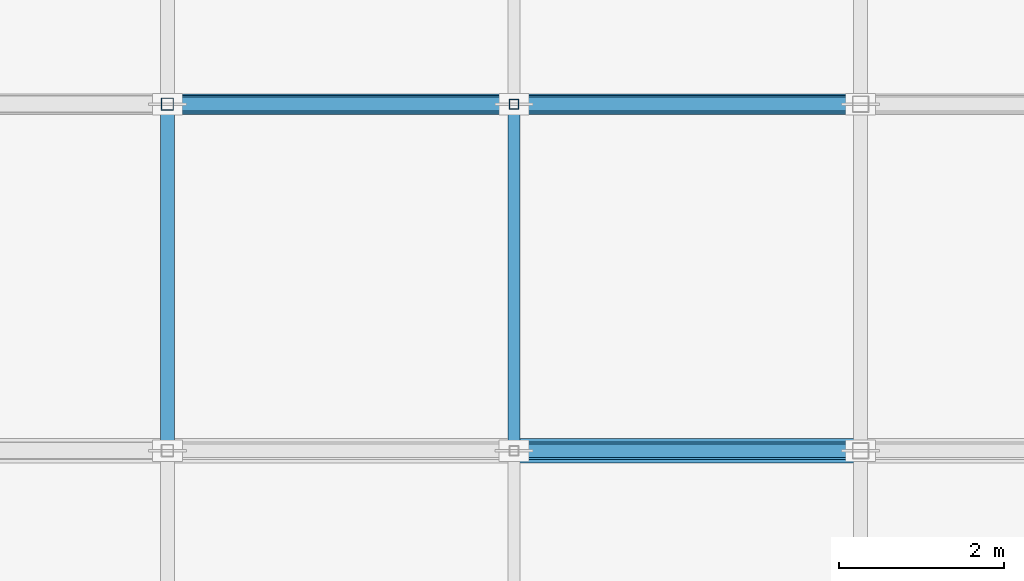
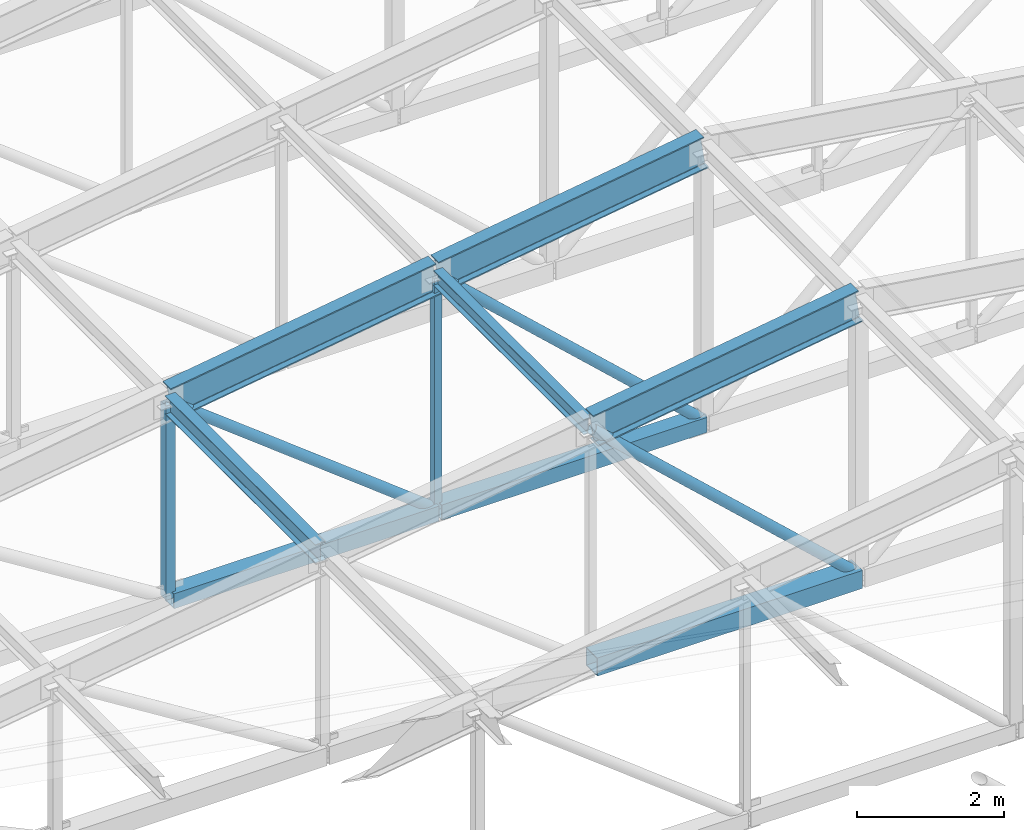
# One storey, part 29 of 122: 13 members.
"""IFC4 building model written with IfcOpenShell, lengths in metres."""

from ifc_helpers import new_model, si_unit, direction, frame, origin, origin_2d, place, context, subcontext, project, spatial, hollow_rectangle, hollow_circle, i_section, extrude, material, material_profile, profile_set, type_object, element, save


model = new_model("IFC4")

# Units and contexts
model_context = context("Model", 3, precision=1e-05, world=origin(), true_north=direction((0.0, 1.0)))
body_context = subcontext(model_context, "Body", "Model", "MODEL_VIEW")
ifc_project = project(units=[si_unit("LENGTHUNIT", "METRE"), si_unit("AREAUNIT", "SQUARE_METRE"), si_unit("VOLUMEUNIT", "CUBIC_METRE"), si_unit("PLANEANGLEUNIT", "RADIAN"), si_unit("MASSUNIT", "GRAM", prefix="KILO")], contexts=[model_context])

# Site, building, storey
site_placement = place(None, origin())
site = spatial("IfcSite", under=ifc_project, at=site_placement, CompositionType="ELEMENT")
building_placement = place(site_placement, origin())
building = spatial("IfcBuilding", under=site, at=building_placement, Name="Telukmera Botanical Conservatory", CompositionType="ELEMENT")
storey_placement = place(building_placement, frame((0.0, 0.0, 10.199951171875)))
storey = spatial("IfcBuildingStorey", under=building, at=storey_placement, Name="L02", CompositionType="ELEMENT", Elevation=10.199951171875)

# Members
ifc_material = material(Name="Steel S355", Category="steel")
ifc_material_profile_1 = material_profile(ifc_material, i_section(OverallWidth=0.210693359375, OverallDepth=0.53955078125, WebThickness=0.01171875, FlangeThickness=0.018798828125, FilletRadius=0.0126953125, at=origin_2d()), Name="UB 533x210x109")
ifc_profile_set_1 = profile_set([ifc_material_profile_1], Name="Steel S355")
member_type_1 = type_object("IfcMemberType", Name="Mem_TC1", PredefinedType="CHORD", material=ifc_profile_set_1)
for number, where, z_axis, x_axis, name in (
    (1, (21.019775390625, 91.60009765625, 3.80615234375), (0.989022603236, 0.0, 0.147764306545), (0.0, 1.0, 0.0), "Auditorium Pratt Truss Top Chord T3-4"),
    (2, (16.81982421875, 95.800048828125, 3.178466796875), (0.989022603236, 0.0, 0.147764306545), (0.0, 1.0, 0.0), "Auditorium Pratt Truss Top Chord T4-3"),
    (3, (21.019775390625, 95.800048828125, 3.80615234375), (0.989022603236, 0.0, 0.147764306545), (0.0, 1.0, 0.0), "Auditorium Pratt Truss Top Chord T4-4"),
):
    element("IfcMember", number, at=place(storey_placement, frame(where, z_axis=z_axis, x_axis=x_axis)), inside=storey, type_object=member_type_1, Name=name, PredefinedType="CHORD", context=body_context, shape_type="SweptSolid", body=[
        extrude(i_section(OverallWidth=0.210693359375, OverallDepth=0.53955078125, WebThickness=0.01171875, FlangeThickness=0.018798828125, FilletRadius=0.0126953125, at=origin_2d()), origin(), (0.0, 0.0, 1.0), 4.20654296875),
    ])
ifc_material_profile_2 = material_profile(ifc_material, hollow_rectangle(XDim=0.25, YDim=0.25, WallThickness=0.012451171875, at=origin_2d()), Name="SHS 250x250x12.5")
ifc_profile_set_2 = profile_set([ifc_material_profile_2], Name="Steel S355")
member_type_2 = type_object("IfcMemberType", Name="Mem_TC2", PredefinedType="CHORD", material=ifc_profile_set_2)
for number, where, z_axis, x_axis, name in (
    (4, (16.820068359375, 95.800048828125, -0.079833984375), (1.0, 0.0, 0.0), (0.0, 1.0, 0.0), "Auditorium Pratt Truss Bottom Chord T4-3"),
    (5, (21.02001953125, 95.800048828125, -0.079833984375), (1.0, 0.0, 0.0), (0.0, 1.0, 0.0), "Auditorium Pratt Truss Bottom Chord T4-4"),
):
    element("IfcMember", number, at=place(storey_placement, frame(where, z_axis=z_axis, x_axis=x_axis)), inside=storey, type_object=member_type_2, Name=name, PredefinedType="CHORD", context=body_context, shape_type="SweptSolid", body=[
        extrude(hollow_rectangle(XDim=0.25, YDim=0.25, WallThickness=0.012451171875, at=origin_2d()), origin(), (0.0, 0.0, 1.0), 4.159912109375),
    ])
ifc_material_profile_3 = material_profile(ifc_material, hollow_rectangle(XDim=0.300048828125, YDim=0.300048828125, WallThickness=0.012451171875, at=origin_2d()), Name="SHS 300x300x12.5")
ifc_profile_set_3 = profile_set([ifc_material_profile_3], Name="Steel S355")
member_type_3 = type_object("IfcMemberType", Name="Mem_TC3", PredefinedType="CHORD", material=ifc_profile_set_3)
member_1_placement = place(storey_placement, frame((21.02001953125, 91.60009765625, -0.079833984375), z_axis=(1.0, 0.0, 0.0), x_axis=(0.0, 1.0, 0.0)))
element("IfcMember", 6, at=member_1_placement, inside=storey, type_object=member_type_3, Name="Auditorium Pratt Truss Bottom Chord T3-4", PredefinedType="CHORD", context=body_context, shape_type="SweptSolid", body=[
    extrude(hollow_rectangle(XDim=0.300048828125, YDim=0.300048828125, WallThickness=0.012451171875, at=origin_2d()), origin(), (0.0, 0.0, 1.0), 4.159912109375),
])
ifc_material_profile_4 = material_profile(ifc_material, hollow_circle(Radius=0.084228515625, WallThickness=0.008056640625, at=origin_2d()), Name="CHS 168.3x8.0")
ifc_profile_set_4 = profile_set([ifc_material_profile_4], Name="Steel S355")
member_type_4 = type_object("IfcMemberType", Name="Mem_TD2", PredefinedType="BRACE", material=ifc_profile_set_4)
member_2_placement = place(storey_placement, frame((21.02197265625, 91.60009765625, 3.78271484375), z_axis=(0.734277342079, 0.0, -0.678849604044), x_axis=(0.0, 1.0, 0.0)))
element("IfcMember", 7, at=member_2_placement, inside=storey, type_object=member_type_4, Name="Auditorium Pratt Truss Web Diagonal T3-D4", PredefinedType="BRACE", context=body_context, shape_type="SweptSolid", body=[
    extrude(hollow_circle(Radius=0.084228515625, WallThickness=0.008056640625, at=origin_2d()), origin(), (0.0, 0.0, 1.0), 5.659912109375),
])
member_3_placement = place(storey_placement, frame((16.82373046875, 95.800048828125, 3.156982421875), z_axis=(0.790391989469, 0.0, -0.61260142261), x_axis=(0.0, 1.0, 0.0)))
element("IfcMember", 8, at=member_3_placement, inside=storey, type_object=member_type_4, Name="Auditorium Pratt Truss Web Diagonal T4-D3", PredefinedType="BRACE", context=body_context, shape_type="SweptSolid", body=[
    extrude(hollow_circle(Radius=0.084228515625, WallThickness=0.008056640625, at=origin_2d()), origin(), (0.0, 0.0, 1.0), 5.25390625),
])
member_4_placement = place(storey_placement, frame((21.02197265625, 95.800048828125, 3.78271484375), z_axis=(0.734277342079, 0.0, -0.678849604044), x_axis=(0.0, 1.0, 0.0)))
element("IfcMember", 9, at=member_4_placement, inside=storey, type_object=member_type_4, Name="Auditorium Pratt Truss Web Diagonal T4-D4", PredefinedType="BRACE", context=body_context, shape_type="SweptSolid", body=[
    extrude(hollow_circle(Radius=0.084228515625, WallThickness=0.008056640625, at=origin_2d()), origin(), (0.0, 0.0, 1.0), 5.659912109375),
])
ifc_material_profile_5 = material_profile(ifc_material, i_section(OverallWidth=0.165771484375, OverallDepth=0.306640625, WebThickness=0.006591796875, FlangeThickness=0.01171875, FilletRadius=0.0087890625, at=origin_2d()), Name="UB 305x165x46")
ifc_profile_set_5 = profile_set([ifc_material_profile_5], Name="Steel S355")
member_type_5 = type_object("IfcMemberType", Name="Mem_TPB1", PredefinedType="PURLIN", material=ifc_profile_set_5)
member_5_placement = place(storey_placement, frame((16.800048828125, 91.659912109375, 3.175537109375), z_axis=(0.0, 1.0, 0.0), x_axis=(-1.0, 0.0, 0.0)))
element("IfcMember", 10, at=member_5_placement, inside=storey, type_object=member_type_5, Name="Auditorium Roof Steel Purlin P3-2", PredefinedType="PURLIN", context=body_context, shape_type="SweptSolid", body=[
    extrude(i_section(OverallWidth=0.165771484375, OverallDepth=0.306640625, WebThickness=0.006591796875, FlangeThickness=0.01171875, FilletRadius=0.0087890625, at=origin_2d()), origin(), (0.0, 0.0, 1.0), 4.080078125),
])
ifc_material_profile_6 = material_profile(ifc_material, i_section(OverallWidth=0.146484375, OverallDepth=0.256103515625, WebThickness=0.00634765625, FlangeThickness=0.010986328125, FilletRadius=0.007568359375, at=origin_2d()), Name="UB 254x146x37")
ifc_profile_set_6 = profile_set([ifc_material_profile_6], Name="Steel S355")
member_type_6 = type_object("IfcMemberType", Name="Mem_TPB2", PredefinedType="PURLIN", material=ifc_profile_set_6)
member_6_placement = place(storey_placement, frame((21.0, 91.659912109375, 3.80322265625), z_axis=(0.0, 1.0, 0.0), x_axis=(-1.0, 0.0, 0.0)))
element("IfcMember", 11, at=member_6_placement, inside=storey, type_object=member_type_6, Name="Auditorium Roof Steel Purlin P3-3", PredefinedType="PURLIN", context=body_context, shape_type="SweptSolid", body=[
    extrude(i_section(OverallWidth=0.146484375, OverallDepth=0.256103515625, WebThickness=0.00634765625, FlangeThickness=0.010986328125, FilletRadius=0.007568359375, at=origin_2d()), origin(), (0.0, 0.0, 1.0), 4.080078125),
])
ifc_material_profile_7 = material_profile(ifc_material, hollow_rectangle(XDim=0.14990234375, YDim=0.14990234375, WallThickness=0.008056640625, at=origin_2d()), Name="SHS 150x150x8.0")
ifc_profile_set_7 = profile_set([ifc_material_profile_7], Name="Steel S355")
member_type_7 = type_object("IfcMemberType", Name="Mem_TV2", PredefinedType="POST", material=ifc_profile_set_7)
member_7_placement = place(storey_placement, frame((16.800048828125, 95.800048828125, -0.06005859375), z_axis=(0.0, 0.0, 1.0), x_axis=(1.0, 0.0, 0.0)))
element("IfcMember", 12, at=member_7_placement, inside=storey, type_object=member_type_7, Name="Auditorium Pratt Truss Vertical T4-V2", PredefinedType="POST", context=body_context, shape_type="SweptSolid", body=[
    extrude(hollow_rectangle(XDim=0.14990234375, YDim=0.14990234375, WallThickness=0.008056640625, at=origin_2d()), origin(), (0.0, 0.0, 1.0), 3.215576171875),
])
ifc_material_profile_8 = material_profile(ifc_material, hollow_rectangle(XDim=0.1201171875, YDim=0.1201171875, WallThickness=0.00634765625, at=origin_2d()), Name="SHS 120x120x6.3")
ifc_profile_set_8 = profile_set([ifc_material_profile_8], Name="Steel S355")
member_type_8 = type_object("IfcMemberType", Name="Mem_TV3", PredefinedType="POST", material=ifc_profile_set_8)
member_8_placement = place(storey_placement, frame((21.0, 95.800048828125, -0.06005859375), z_axis=(0.0, 0.0, 1.0), x_axis=(1.0, 0.0, 0.0)))
element("IfcMember", 13, at=member_8_placement, inside=storey, type_object=member_type_8, Name="Auditorium Pratt Truss Vertical T4-V3", PredefinedType="POST", context=body_context, shape_type="SweptSolid", body=[
    extrude(hollow_rectangle(XDim=0.1201171875, YDim=0.1201171875, WallThickness=0.00634765625, at=origin_2d()), origin(), (0.0, 0.0, 1.0), 3.84326171875),
])

save(model, "model.ifc")
